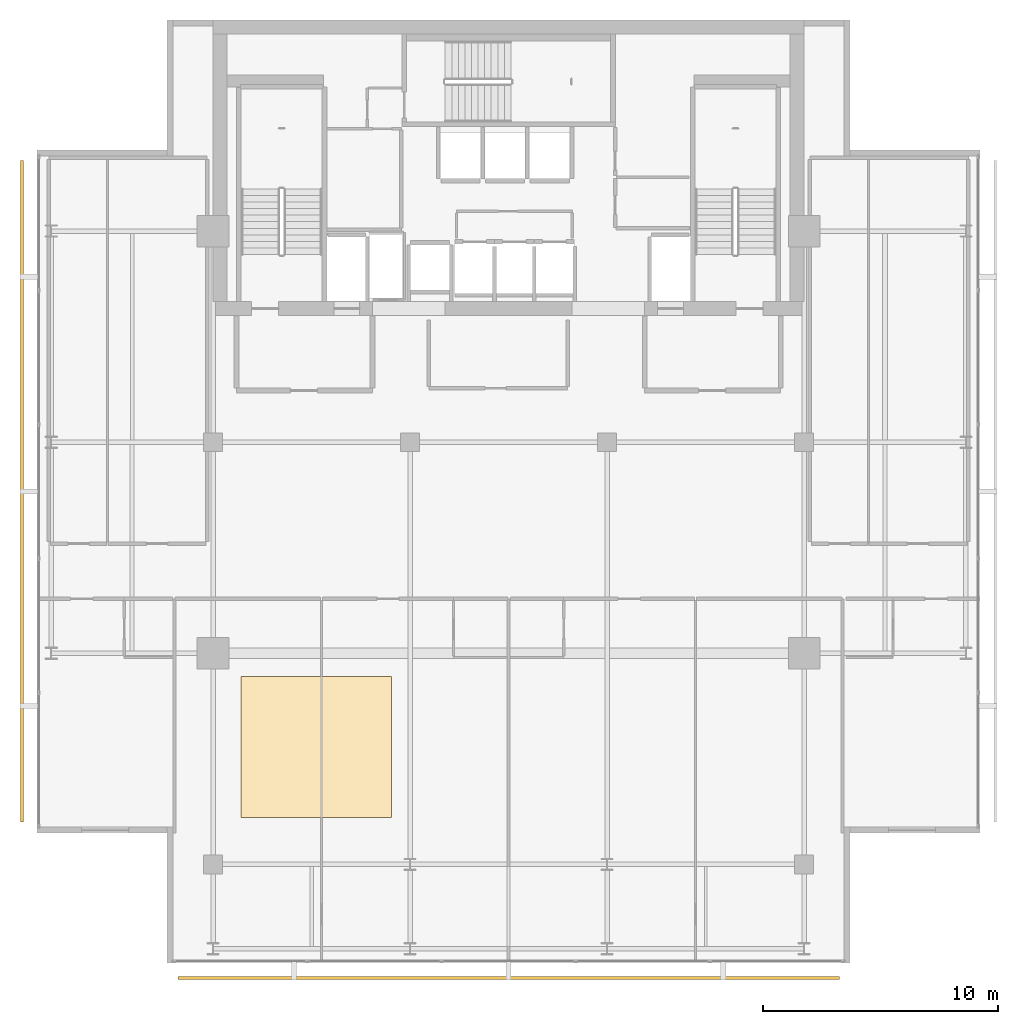
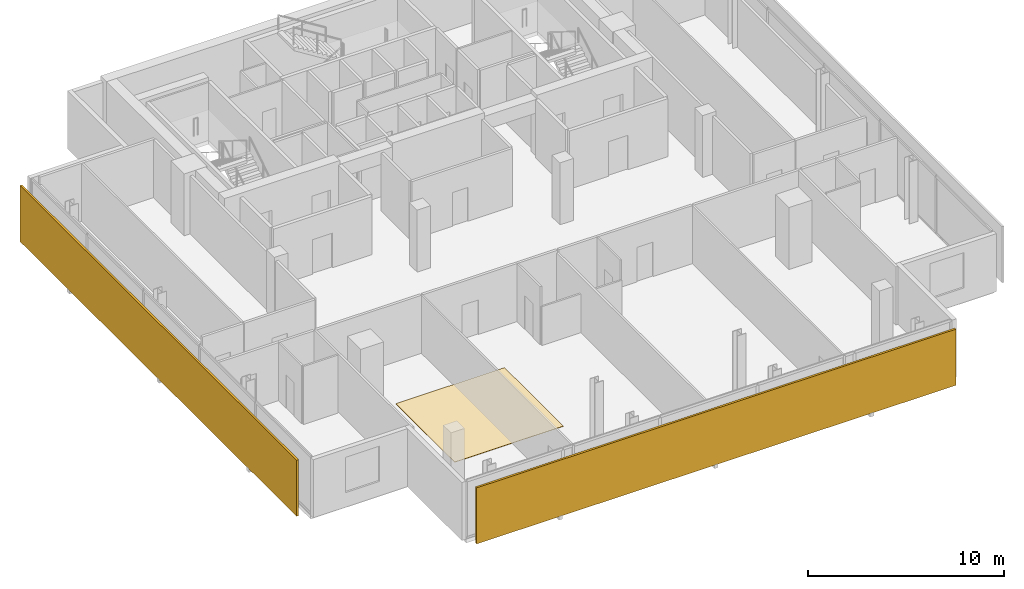
# One storey, part 20 of 23: 2 shading devices, 1 covering.
"""IFC4 building model written with IfcOpenShell, lengths in metres."""

from ifc_helpers import new_model, si_unit, direction, frame, origin, origin_2d, place, context, subcontext, project, spatial, polyline, rectangle, outline, extrude, material, layer, layer_set, type_object, element, save


model = new_model("IFC4")

# Units and contexts
model_context = context("Model", 3, precision=1e-05, world=origin(), true_north=direction((0.0, 1.0)))
body_context = subcontext(model_context, "Body", "Model", "MODEL_VIEW")
ifc_project = project(units=[si_unit("LENGTHUNIT", "METRE"), si_unit("AREAUNIT", "SQUARE_METRE"), si_unit("VOLUMEUNIT", "CUBIC_METRE"), si_unit("PLANEANGLEUNIT", "RADIAN"), si_unit("MASSUNIT", "GRAM", prefix="KILO")], contexts=[model_context])

# Site, building, storey
site_placement = place(None, origin())
site = spatial("IfcSite", under=ifc_project, at=site_placement, CompositionType="ELEMENT")
building_placement = place(site_placement, origin())
building = spatial("IfcBuilding", under=site, at=building_placement, Name="Maruvema Waterfront Hotel and Observation Tower", CompositionType="ELEMENT")
storey_placement = place(building_placement, frame((0.0, 0.0, 341.25)))
storey = spatial("IfcBuildingStorey", under=building, at=storey_placement, Name="L84", CompositionType="ELEMENT", Elevation=341.25)

# Covering
ifc_material_1 = material(Name="Engineered Brazilian freijo hardwood", Category="wood")
ifc_layer_1 = layer(ifc_material_1, 0.02197265625, Name="Engineered Brazilian Freijo Timber Suite Flooring 22 mm")
ifc_layer_set_1 = layer_set([ifc_layer_1], Name="Engineered Brazilian freijo hardwood")
covering_type = type_object("IfcCoveringType", Name="Engineered Brazilian Freijo Timber Suite Flooring 22 mm", PredefinedType="FLOORING", material=ifc_layer_set_1)
covering_placement = place(storey_placement, origin())
element("IfcCovering", 1, at=covering_placement, inside=storey, type_object=covering_type, Name="L84 Sky Suite Freijo Timber Flooring", PredefinedType="FLOORING", context=body_context, shape_type="SweptSolid", body=[
    extrude(outline(polyline([(26.39990234375, 20.0), (32.800048828125, 20.0), (32.800048828125, 26.0), (26.39990234375, 26.0), (26.39990234375, 20.0)])), origin(), (0.0, 0.0, 1.0), 0.02197265625),
])

# Shading devices
ifc_material_2 = material(Name="Honed travertine stone and anodised architectural bronze", Category="masonry")
ifc_layer_2 = layer(ifc_material_2, 0.1201171875, Name="Ventilated Outer Skin Cobogo Stone-and-Bronze Screen 120 mm")
ifc_layer_set_2 = layer_set([ifc_layer_2], Name="Honed travertine stone and anodised architectural bronze")
shading_device_type = type_object("IfcShadingDeviceType", Name="Ventilated Outer Skin Cobogo Stone-and-Bronze Screen 120 mm", PredefinedType="USERDEFINED", material=ifc_layer_set_2)
for number, where, z_axis, x_axis, name in (
    (2, (37.800048828125, 13.14990234375, 0.06005859375), (0.0, 0.0, 1.0), (1.0, 0.0, 0.0), "L84 Ventilated Double-Skin Outer Cobogo Screen OS-L84-S"),
    (3, (17.050048828125, 33.89990234375, 0.06005859375), (0.0, 0.0, 1.0), (0.0, -1.0, 0.0), "L84 Ventilated Double-Skin Outer Cobogo Screen OS-L84-W"),
):
    element("IfcShadingDevice", number, at=place(storey_placement, frame(where, z_axis=z_axis, x_axis=x_axis)), inside=storey, type_object=shading_device_type, Name=name, ObjectType="OUTER SKIN SCREEN", PredefinedType="USERDEFINED", context=body_context, shape_type="SweptSolid", body=[
        extrude(rectangle(XDim=28.199951171875, YDim=0.1201171875, at=origin_2d()), origin(), (0.0, 0.0, 1.0), 3.489990234375),
    ])

save(model, "model.ifc")
